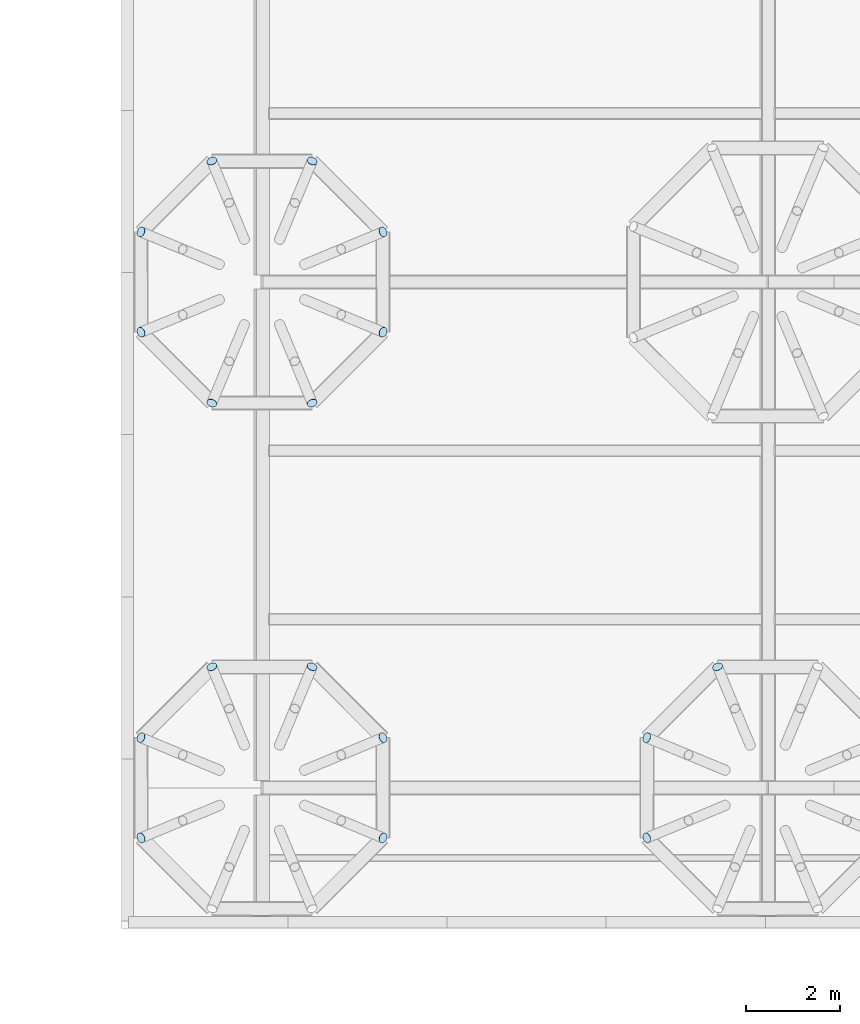
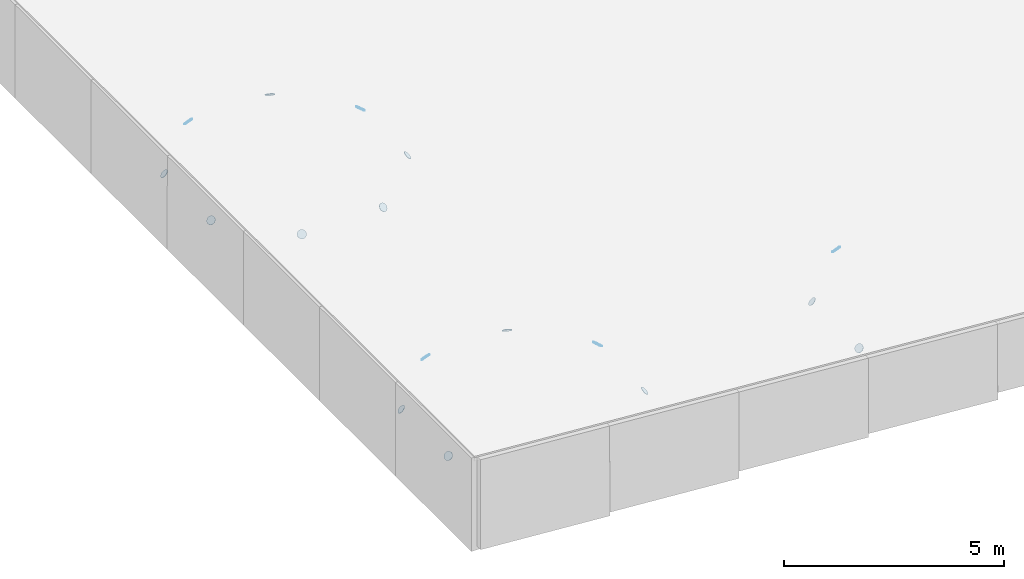
# One storey, part 58 of 95: 17 plates.
"""IFC4 building model written with IfcOpenShell, lengths in metres."""

from ifc_helpers import new_model, si_unit, direction, frame, origin, origin_2d, place, context, subcontext, project, spatial, circle, extrude, material, material_profile, profile_set, type_object, element, save


model = new_model("IFC4")

# Units and contexts
model_context = context("Model", 3, precision=1e-05, world=origin(), true_north=direction((0.0, 1.0)))
body_context = subcontext(model_context, "Body", "Model", "MODEL_VIEW")
ifc_project = project(units=[si_unit("LENGTHUNIT", "METRE"), si_unit("AREAUNIT", "SQUARE_METRE"), si_unit("VOLUMEUNIT", "CUBIC_METRE"), si_unit("PLANEANGLEUNIT", "RADIAN"), si_unit("MASSUNIT", "GRAM", prefix="KILO")], contexts=[model_context])

# Site, building, storey
site_placement = place(None, origin())
site = spatial("IfcSite", under=ifc_project, at=site_placement, CompositionType="ELEMENT")
building_placement = place(site_placement, origin())
building = spatial("IfcBuilding", under=site, at=building_placement, Name="Magnolia Steps Interchange", CompositionType="ELEMENT")
storey_placement = place(building_placement, frame((0.0, 0.0, 4.800048828125)))
storey = spatial("IfcBuildingStorey", under=building, at=storey_placement, Name="L01", CompositionType="ELEMENT", Elevation=4.800048828125)

# Plates
ifc_material = material(Name="Steel Q355B", Category="steel")
ifc_material_profile = material_profile(ifc_material, circle(Radius=0.109619140625, at=origin_2d()), Name="End plate CHS219x10")
ifc_profile_set = profile_set([ifc_material_profile], Name="Steel Q355B")
plate_type = type_object("IfcPlateType", Name="End plate CHS219x10", PredefinedType="SHEET", material=ifc_profile_set)
for number, where, z_axis, x_axis, name in (
    (1, (152.97998046875, 43.46875, 3.131103515625), (0.664583318381, 0.275279424158, 0.694658370398), (-0.382683432789, 0.923879532336, 0.0), "End plate Tree rib"),
    (2, (151.46875, 44.97998046875, 3.131103515625), (0.275279424158, 0.664583318381, 0.694658370398), (-0.923879532336, 0.382683432789, 0.0), "End plate Tree rib"),
    (3, (149.331298828125, 44.97998046875, 3.131103515625), (-0.275279424158, 0.664583318381, 0.694658370398), (-0.923879532336, -0.382683432789, 0.0), "End plate Tree rib"),
    (4, (147.820068359375, 43.46875, 3.131103515625), (-0.664583318381, 0.275279424158, 0.694658370398), (-0.382683432789, -0.923879532336, 0.0), "End plate Tree rib"),
    (5, (147.820068359375, 41.331298828125, 3.131103515625), (-0.664583318381, -0.275279424158, 0.694658370398), (0.382683432789, -0.923879532336, 0.0), "End plate Tree rib"),
    (6, (152.97998046875, 41.331298828125, 3.131103515625), (0.664583318381, -0.275279424158, 0.694658370398), (0.382683432789, 0.923879532336, 0.0), "End plate Tree rib"),
    (7, (152.97998046875, 54.268798828125, 3.131103515625), (0.664583318381, 0.275279424158, 0.694658370398), (-0.382683432789, 0.923879532336, 0.0), "End plate Tree rib"),
    (8, (151.46875, 55.780029296875, 3.131103515625), (0.275279424158, 0.664583318381, 0.694658370398), (-0.923879532336, 0.382683432789, 0.0), "End plate Tree rib"),
    (9, (149.331298828125, 55.780029296875, 3.131103515625), (-0.275279424158, 0.664583318381, 0.694658370398), (-0.923879532336, -0.382683432789, 0.0), "End plate Tree rib"),
    (10, (147.820068359375, 54.268798828125, 3.131103515625), (-0.664583318381, 0.275279424158, 0.694658370398), (-0.382683432789, -0.923879532336, 0.0), "End plate Tree rib"),
    (11, (147.820068359375, 52.13134765625, 3.131103515625), (-0.664583318381, -0.275279424158, 0.694658370398), (0.382683432789, -0.923879532336, 0.0), "End plate Tree rib"),
    (12, (149.331298828125, 50.6201171875, 3.131103515625), (-0.275279424158, -0.664583318381, 0.694658370398), (0.923879532336, -0.382683432789, 0.0), "End plate Tree rib"),
    (13, (151.46875, 50.6201171875, 3.131103515625), (0.275279424158, -0.664583318381, 0.694658370398), (0.923879532336, 0.382683432789, 0.0), "End plate Tree rib"),
    (14, (152.97998046875, 52.13134765625, 3.131103515625), (0.664583318381, -0.275279424158, 0.694658370398), (0.382683432789, 0.923879532336, 0.0), "End plate Tree rib"),
    (15, (160.13134765625, 44.97998046875, 2.34375), (-0.275279424158, 0.664583318381, 0.694658370398), (-0.923879532336, -0.382683432789, 0.0), "End plate Tree rib"),
    (16, (158.6201171875, 43.46875, 2.34375), (-0.664583318381, 0.275279424158, 0.694658370398), (-0.382683432789, -0.923879532336, 0.0), "End plate Tree rib"),
    (17, (158.6201171875, 41.331298828125, 2.34375), (-0.664583318381, -0.275279424158, 0.694658370398), (0.382683432789, -0.923879532336, 0.0), "End plate Tree rib"),
):
    element("IfcPlate", number, at=place(storey_placement, frame(where, z_axis=z_axis, x_axis=x_axis)), inside=storey, type_object=plate_type, Name=name, PredefinedType="SHEET", context=body_context, shape_type="SweptSolid", body=[
        extrude(circle(Radius=0.109619140625, at=origin_2d()), origin(), (0.0, 0.0, 1.0), 0.008056640625),
    ])

save(model, "model.ifc")
